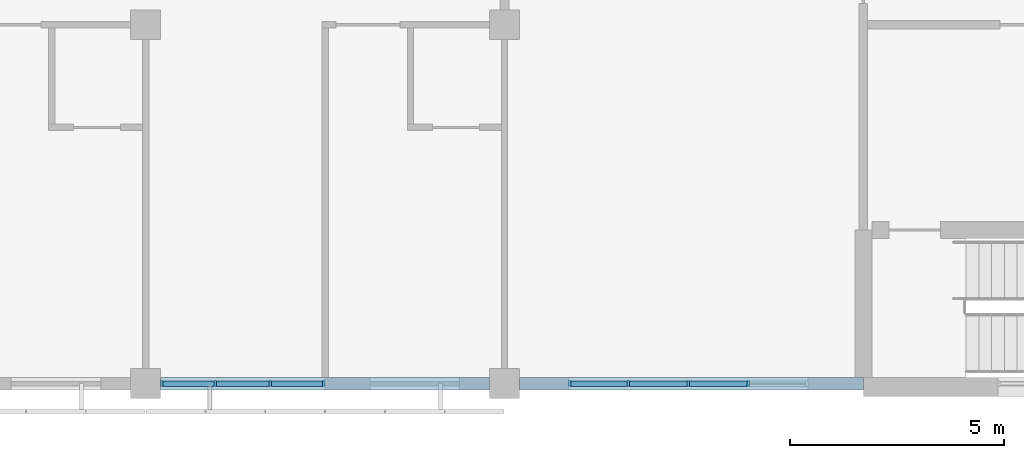
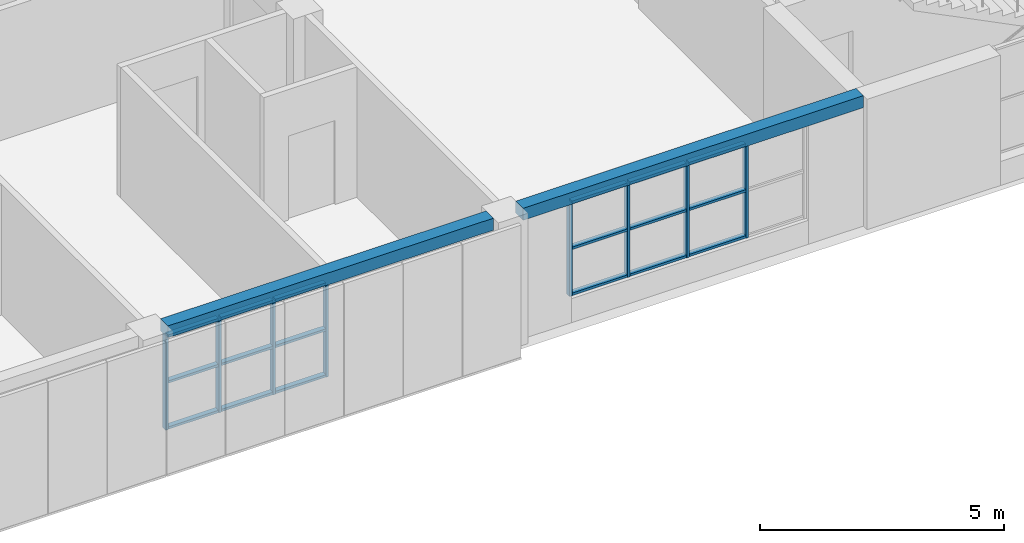
# One storey, part 2 of 61: 26 members, 2 beams, 2 elements without a shape of their own.
"""IFC4 building model written with IfcOpenShell, lengths in metres."""

from ifc_helpers import new_model, si_unit, direction, frame, origin, origin_2d, place, context, subcontext, project, spatial, rectangle, extrude, material, material_profile, profile_set, type_object, element, aggregate, save


model = new_model("IFC4")

# Units and contexts
model_context = context("Model", 3, precision=1e-05, world=origin(), true_north=direction((0.0, 1.0)))
body_context = subcontext(model_context, "Body", "Model", "MODEL_VIEW")
ifc_project = project(units=[si_unit("LENGTHUNIT", "METRE"), si_unit("AREAUNIT", "SQUARE_METRE"), si_unit("VOLUMEUNIT", "CUBIC_METRE"), si_unit("PLANEANGLEUNIT", "RADIAN"), si_unit("MASSUNIT", "GRAM", prefix="KILO")], contexts=[model_context])

# Site, building, storey
site_placement = place(None, origin())
site = spatial("IfcSite", under=ifc_project, at=site_placement, CompositionType="ELEMENT")
building_placement = place(site_placement, origin())
building = spatial("IfcBuilding", under=site, at=building_placement, Name="Yavir Park General Hospital", CompositionType="ELEMENT")
storey_placement = place(building_placement, frame((0.0, 0.0, 15.300048828125)))
storey = spatial("IfcBuildingStorey", under=building, at=storey_placement, Name="L03", CompositionType="ELEMENT", Elevation=15.300048828125)

# Curtain wall, members
ifc_material_1 = material(Name="Aluminium curtain wall frame with insulated glazing", Category="aluminium")
curtain_wall_type = type_object("IfcCurtainWallType", Name="Day room pocket glazing, ward floors, 2360 high, 1400 module", PredefinedType="NOTDEFINED", material=ifc_material_1)
curtain_wall_1_placement = place(storey_placement, origin())
curtain_wall_1 = element("IfcCurtainWall", 1, at=curtain_wall_1_placement, inside=storey, type_object=curtain_wall_type, Name="CW6 L03-001", PredefinedType="NOTDEFINED")
ifc_material_2 = material(Name="Aluminium", Category="aluminium")
ifc_material_profile_1 = material_profile(ifc_material_2, rectangle(XDim=0.139892578125, YDim=0.06005859375, at=origin_2d()), Name="AL 60x140")
ifc_profile_set_1 = profile_set([ifc_material_profile_1], Name="Aluminium")
member_type_1 = type_object("IfcMemberType", Name="Day room pocket glazing, ward floors, 2360 high mullion 60 x 140", PredefinedType="MULLION", material=ifc_profile_set_1)
member_1_placement = place(storey_placement, frame((17.179931640625, 0.0, 0.599853515625), z_axis=(0.0, 0.0, 1.0), x_axis=(0.0, 1.0, 0.0)))
member_1 = element("IfcMember", 2, at=member_1_placement, type_object=member_type_1, Name="CW6 mullion 1", PredefinedType="MULLION", context=body_context, shape_type="SweptSolid", body=[
    extrude(rectangle(XDim=0.139892578125, YDim=0.06005859375, at=origin_2d()), origin(), (0.0, 0.0, 1.0), 2.360107421875),
])
member_2_placement = place(storey_placement, frame((18.433349609375, 0.0, 0.599853515625), z_axis=(0.0, 0.0, 1.0), x_axis=(0.0, 1.0, 0.0)))
member_2 = element("IfcMember", 3, at=member_2_placement, type_object=member_type_1, Name="CW6 mullion 2", PredefinedType="MULLION", context=body_context, shape_type="SweptSolid", body=[
    extrude(rectangle(XDim=0.139892578125, YDim=0.06005859375, at=origin_2d()), origin(), (0.0, 0.0, 1.0), 2.360107421875),
])
member_3_placement = place(storey_placement, frame((19.716552734375, 0.0, 0.599853515625), z_axis=(0.0, 0.0, 1.0), x_axis=(0.0, 1.0, 0.0)))
member_3 = element("IfcMember", 4, at=member_3_placement, type_object=member_type_1, Name="CW6 mullion 3", PredefinedType="MULLION", context=body_context, shape_type="SweptSolid", body=[
    extrude(rectangle(XDim=0.139892578125, YDim=0.06005859375, at=origin_2d()), origin(), (0.0, 0.0, 1.0), 2.360107421875),
])
member_4_placement = place(storey_placement, frame((20.969970703125, 0.0, 0.599853515625), z_axis=(0.0, 0.0, 1.0), x_axis=(0.0, 1.0, 0.0)))
member_4 = element("IfcMember", 5, at=member_4_placement, type_object=member_type_1, Name="CW6 mullion 4", PredefinedType="MULLION", context=body_context, shape_type="SweptSolid", body=[
    extrude(rectangle(XDim=0.139892578125, YDim=0.06005859375, at=origin_2d()), origin(), (0.0, 0.0, 1.0), 2.360107421875),
])

curtain_wall_2_placement = place(storey_placement, origin())
curtain_wall_2 = element("IfcCurtainWall", 6, at=curtain_wall_2_placement, inside=storey, type_object=curtain_wall_type, Name="CW6 L03-002", PredefinedType="NOTDEFINED")
member_5_placement = place(storey_placement, frame((26.72998046875, 0.0, 0.599853515625), z_axis=(0.0, 0.0, 1.0), x_axis=(0.0, 1.0, 0.0)))
member_5 = element("IfcMember", 7, at=member_5_placement, type_object=member_type_1, Name="CW6 mullion 1", PredefinedType="MULLION", context=body_context, shape_type="SweptSolid", body=[
    extrude(rectangle(XDim=0.139892578125, YDim=0.06005859375, at=origin_2d()), origin(), (0.0, 0.0, 1.0), 2.360107421875),
])
member_6_placement = place(storey_placement, frame((28.10009765625, 0.0, 0.599853515625), z_axis=(0.0, 0.0, 1.0), x_axis=(0.0, 1.0, 0.0)))
member_6 = element("IfcMember", 8, at=member_6_placement, type_object=member_type_1, Name="CW6 mullion 2", PredefinedType="MULLION", context=body_context, shape_type="SweptSolid", body=[
    extrude(rectangle(XDim=0.139892578125, YDim=0.06005859375, at=origin_2d()), origin(), (0.0, 0.0, 1.0), 2.360107421875),
])
member_7_placement = place(storey_placement, frame((29.5, 0.0, 0.599853515625), z_axis=(0.0, 0.0, 1.0), x_axis=(0.0, 1.0, 0.0)))
member_7 = element("IfcMember", 9, at=member_7_placement, type_object=member_type_1, Name="CW6 mullion 3", PredefinedType="MULLION", context=body_context, shape_type="SweptSolid", body=[
    extrude(rectangle(XDim=0.139892578125, YDim=0.06005859375, at=origin_2d()), origin(), (0.0, 0.0, 1.0), 2.360107421875),
])
member_8_placement = place(storey_placement, frame((30.89990234375, 0.0, 0.599853515625), z_axis=(0.0, 0.0, 1.0), x_axis=(0.0, 1.0, 0.0)))
member_8 = element("IfcMember", 10, at=member_8_placement, type_object=member_type_1, Name="CW6 mullion 4", PredefinedType="MULLION", context=body_context, shape_type="SweptSolid", body=[
    extrude(rectangle(XDim=0.139892578125, YDim=0.06005859375, at=origin_2d()), origin(), (0.0, 0.0, 1.0), 2.360107421875),
])

# Member
ifc_material_3 = material(Name="Aluminium", Category="aluminium")
ifc_material_profile_2 = material_profile(ifc_material_3, rectangle(XDim=0.1201171875, YDim=0.06005859375, at=origin_2d()), Name="AL 120x60")
ifc_profile_set_2 = profile_set([ifc_material_profile_2], Name="Aluminium")
member_type_2 = type_object("IfcMemberType", Name="Day room pocket glazing, ward floors, 2360 high transom 60 x 120", PredefinedType="MULLION", material=ifc_profile_set_2)
member_9_placement = place(storey_placement, frame((17.2099609375, 0.0, 0.6298828125), z_axis=(1.0, 0.0, 0.0), x_axis=(0.0, 1.0, 0.0)))
member_9 = element("IfcMember", 11, at=member_9_placement, type_object=member_type_2, Name="CW6 transom 1.1", PredefinedType="MULLION", context=body_context, shape_type="SweptSolid", body=[
    extrude(rectangle(XDim=0.1201171875, YDim=0.06005859375, at=origin_2d()), origin(), (0.0, 0.0, 1.0), 1.193359375),
])

member_10_placement = place(storey_placement, frame((17.2099609375, 0.0, 1.780029296875), z_axis=(1.0, 0.0, 0.0), x_axis=(0.0, 1.0, 0.0)))
member_10 = element("IfcMember", 12, at=member_10_placement, type_object=member_type_2, Name="CW6 transom 1.2", PredefinedType="MULLION", context=body_context, shape_type="SweptSolid", body=[
    extrude(rectangle(XDim=0.1201171875, YDim=0.06005859375, at=origin_2d()), origin(), (0.0, 0.0, 1.0), 1.193359375),
])

member_11_placement = place(storey_placement, frame((17.2099609375, 0.0, 2.929931640625), z_axis=(1.0, 0.0, 0.0), x_axis=(0.0, 1.0, 0.0)))
member_11 = element("IfcMember", 13, at=member_11_placement, type_object=member_type_2, Name="CW6 transom 1.3", PredefinedType="MULLION", context=body_context, shape_type="SweptSolid", body=[
    extrude(rectangle(XDim=0.1201171875, YDim=0.06005859375, at=origin_2d()), origin(), (0.0, 0.0, 1.0), 1.193359375),
])

member_12_placement = place(storey_placement, frame((18.46337890625, 0.0, 0.6298828125), z_axis=(1.0, 0.0, 0.0), x_axis=(0.0, 1.0, 0.0)))
member_12 = element("IfcMember", 14, at=member_12_placement, type_object=member_type_2, Name="CW6 transom 2.1", PredefinedType="MULLION", context=body_context, shape_type="SweptSolid", body=[
    extrude(rectangle(XDim=0.1201171875, YDim=0.06005859375, at=origin_2d()), origin(), (0.0, 0.0, 1.0), 1.223388671875),
])

member_13_placement = place(storey_placement, frame((18.46337890625, 0.0, 1.780029296875), z_axis=(1.0, 0.0, 0.0), x_axis=(0.0, 1.0, 0.0)))
member_13 = element("IfcMember", 15, at=member_13_placement, type_object=member_type_2, Name="CW6 transom 2.2", PredefinedType="MULLION", context=body_context, shape_type="SweptSolid", body=[
    extrude(rectangle(XDim=0.1201171875, YDim=0.06005859375, at=origin_2d()), origin(), (0.0, 0.0, 1.0), 1.223388671875),
])

member_14_placement = place(storey_placement, frame((18.46337890625, 0.0, 2.929931640625), z_axis=(1.0, 0.0, 0.0), x_axis=(0.0, 1.0, 0.0)))
member_14 = element("IfcMember", 16, at=member_14_placement, type_object=member_type_2, Name="CW6 transom 2.3", PredefinedType="MULLION", context=body_context, shape_type="SweptSolid", body=[
    extrude(rectangle(XDim=0.1201171875, YDim=0.06005859375, at=origin_2d()), origin(), (0.0, 0.0, 1.0), 1.223388671875),
])

member_15_placement = place(storey_placement, frame((19.74658203125, 0.0, 0.6298828125), z_axis=(1.0, 0.0, 0.0), x_axis=(0.0, 1.0, 0.0)))
member_15 = element("IfcMember", 17, at=member_15_placement, type_object=member_type_2, Name="CW6 transom 3.1", PredefinedType="MULLION", context=body_context, shape_type="SweptSolid", body=[
    extrude(rectangle(XDim=0.1201171875, YDim=0.06005859375, at=origin_2d()), origin(), (0.0, 0.0, 1.0), 1.193359375),
])

member_16_placement = place(storey_placement, frame((19.74658203125, 0.0, 1.780029296875), z_axis=(1.0, 0.0, 0.0), x_axis=(0.0, 1.0, 0.0)))
member_16 = element("IfcMember", 18, at=member_16_placement, type_object=member_type_2, Name="CW6 transom 3.2", PredefinedType="MULLION", context=body_context, shape_type="SweptSolid", body=[
    extrude(rectangle(XDim=0.1201171875, YDim=0.06005859375, at=origin_2d()), origin(), (0.0, 0.0, 1.0), 1.193359375),
])

member_17_placement = place(storey_placement, frame((19.74658203125, 0.0, 2.929931640625), z_axis=(1.0, 0.0, 0.0), x_axis=(0.0, 1.0, 0.0)))
member_17 = element("IfcMember", 19, at=member_17_placement, type_object=member_type_2, Name="CW6 transom 3.3", PredefinedType="MULLION", context=body_context, shape_type="SweptSolid", body=[
    extrude(rectangle(XDim=0.1201171875, YDim=0.06005859375, at=origin_2d()), origin(), (0.0, 0.0, 1.0), 1.193359375),
])

aggregate(curtain_wall_1, [member_1, member_2, member_3, member_4, member_9, member_10, member_11, member_12, member_13, member_14, member_15, member_16, member_17])

member_18_placement = place(storey_placement, frame((26.760009765625, 0.0, 0.6298828125), z_axis=(1.0, 0.0, 0.0), x_axis=(0.0, 1.0, 0.0)))
member_18 = element("IfcMember", 20, at=member_18_placement, type_object=member_type_2, Name="CW6 transom 1.1", PredefinedType="MULLION", context=body_context, shape_type="SweptSolid", body=[
    extrude(rectangle(XDim=0.1201171875, YDim=0.06005859375, at=origin_2d()), origin(), (0.0, 0.0, 1.0), 1.31005859375),
])

member_19_placement = place(storey_placement, frame((26.760009765625, 0.0, 1.780029296875), z_axis=(1.0, 0.0, 0.0), x_axis=(0.0, 1.0, 0.0)))
member_19 = element("IfcMember", 21, at=member_19_placement, type_object=member_type_2, Name="CW6 transom 1.2", PredefinedType="MULLION", context=body_context, shape_type="SweptSolid", body=[
    extrude(rectangle(XDim=0.1201171875, YDim=0.06005859375, at=origin_2d()), origin(), (0.0, 0.0, 1.0), 1.31005859375),
])

member_20_placement = place(storey_placement, frame((26.760009765625, 0.0, 2.929931640625), z_axis=(1.0, 0.0, 0.0), x_axis=(0.0, 1.0, 0.0)))
member_20 = element("IfcMember", 22, at=member_20_placement, type_object=member_type_2, Name="CW6 transom 1.3", PredefinedType="MULLION", context=body_context, shape_type="SweptSolid", body=[
    extrude(rectangle(XDim=0.1201171875, YDim=0.06005859375, at=origin_2d()), origin(), (0.0, 0.0, 1.0), 1.31005859375),
])

member_21_placement = place(storey_placement, frame((28.1298828125, 0.0, 0.6298828125), z_axis=(1.0, 0.0, 0.0), x_axis=(0.0, 1.0, 0.0)))
member_21 = element("IfcMember", 23, at=member_21_placement, type_object=member_type_2, Name="CW6 transom 2.1", PredefinedType="MULLION", context=body_context, shape_type="SweptSolid", body=[
    extrude(rectangle(XDim=0.1201171875, YDim=0.06005859375, at=origin_2d()), origin(), (0.0, 0.0, 1.0), 1.340087890625),
])

member_22_placement = place(storey_placement, frame((28.1298828125, 0.0, 1.780029296875), z_axis=(1.0, 0.0, 0.0), x_axis=(0.0, 1.0, 0.0)))
member_22 = element("IfcMember", 24, at=member_22_placement, type_object=member_type_2, Name="CW6 transom 2.2", PredefinedType="MULLION", context=body_context, shape_type="SweptSolid", body=[
    extrude(rectangle(XDim=0.1201171875, YDim=0.06005859375, at=origin_2d()), origin(), (0.0, 0.0, 1.0), 1.340087890625),
])

member_23_placement = place(storey_placement, frame((28.1298828125, 0.0, 2.929931640625), z_axis=(1.0, 0.0, 0.0), x_axis=(0.0, 1.0, 0.0)))
member_23 = element("IfcMember", 25, at=member_23_placement, type_object=member_type_2, Name="CW6 transom 2.3", PredefinedType="MULLION", context=body_context, shape_type="SweptSolid", body=[
    extrude(rectangle(XDim=0.1201171875, YDim=0.06005859375, at=origin_2d()), origin(), (0.0, 0.0, 1.0), 1.340087890625),
])

member_24_placement = place(storey_placement, frame((29.530029296875, 0.0, 0.6298828125), z_axis=(1.0, 0.0, 0.0), x_axis=(0.0, 1.0, 0.0)))
member_24 = element("IfcMember", 26, at=member_24_placement, type_object=member_type_2, Name="CW6 transom 3.1", PredefinedType="MULLION", context=body_context, shape_type="SweptSolid", body=[
    extrude(rectangle(XDim=0.1201171875, YDim=0.06005859375, at=origin_2d()), origin(), (0.0, 0.0, 1.0), 1.340087890625),
])

member_25_placement = place(storey_placement, frame((29.530029296875, 0.0, 1.780029296875), z_axis=(1.0, 0.0, 0.0), x_axis=(0.0, 1.0, 0.0)))
member_25 = element("IfcMember", 27, at=member_25_placement, type_object=member_type_2, Name="CW6 transom 3.2", PredefinedType="MULLION", context=body_context, shape_type="SweptSolid", body=[
    extrude(rectangle(XDim=0.1201171875, YDim=0.06005859375, at=origin_2d()), origin(), (0.0, 0.0, 1.0), 1.340087890625),
])

member_26_placement = place(storey_placement, frame((29.530029296875, 0.0, 2.929931640625), z_axis=(1.0, 0.0, 0.0), x_axis=(0.0, 1.0, 0.0)))
member_26 = element("IfcMember", 28, at=member_26_placement, type_object=member_type_2, Name="CW6 transom 3.3", PredefinedType="MULLION", context=body_context, shape_type="SweptSolid", body=[
    extrude(rectangle(XDim=0.1201171875, YDim=0.06005859375, at=origin_2d()), origin(), (0.0, 0.0, 1.0), 1.340087890625),
])

aggregate(curtain_wall_2, [member_5, member_6, member_7, member_8, member_18, member_19, member_20, member_21, member_22, member_23, member_24, member_25, member_26])

# Beams
ifc_material_4 = material(Name="Concrete C35/45", Category="concrete")
ifc_material_profile_3 = material_profile(ifc_material_4, rectangle(XDim=0.300048828125, YDim=0.300048828125, at=origin_2d()), Name="RC300x300")
ifc_profile_set_3 = profile_set([ifc_material_profile_3], Name="Concrete C35/45")
beam_type = type_object("IfcBeamType", Name="RC BEAM 300x300 edge beam", PredefinedType="BEAM", material=ifc_profile_set_3)
beam_1_placement = place(storey_placement, frame((17.14990234375, 0.0, 3.10986328125), z_axis=(1.0, 0.0, 0.0), x_axis=(0.0, 1.0, 0.0)))
element("IfcBeam", 29, at=beam_1_placement, inside=storey, type_object=beam_type, Name="B:EDGE:L03:003", PredefinedType="BEAM", context=body_context, shape_type="SweptSolid", body=[
    extrude(rectangle(XDim=0.300048828125, YDim=0.300048828125, at=origin_2d()), origin(), (0.0, 0.0, 1.0), 7.7001953125),
])
beam_2_placement = place(storey_placement, frame((25.550048828125, 0.0, 3.10986328125), z_axis=(1.0, 0.0, 0.0), x_axis=(0.0, 1.0, 0.0)))
element("IfcBeam", 30, at=beam_2_placement, inside=storey, type_object=beam_type, Name="B:EDGE:L03:004", PredefinedType="BEAM", context=body_context, shape_type="SweptSolid", body=[
    extrude(rectangle(XDim=0.300048828125, YDim=0.300048828125, at=origin_2d()), origin(), (0.0, 0.0, 1.0), 8.050048828125),
])

save(model, "model.ifc")
